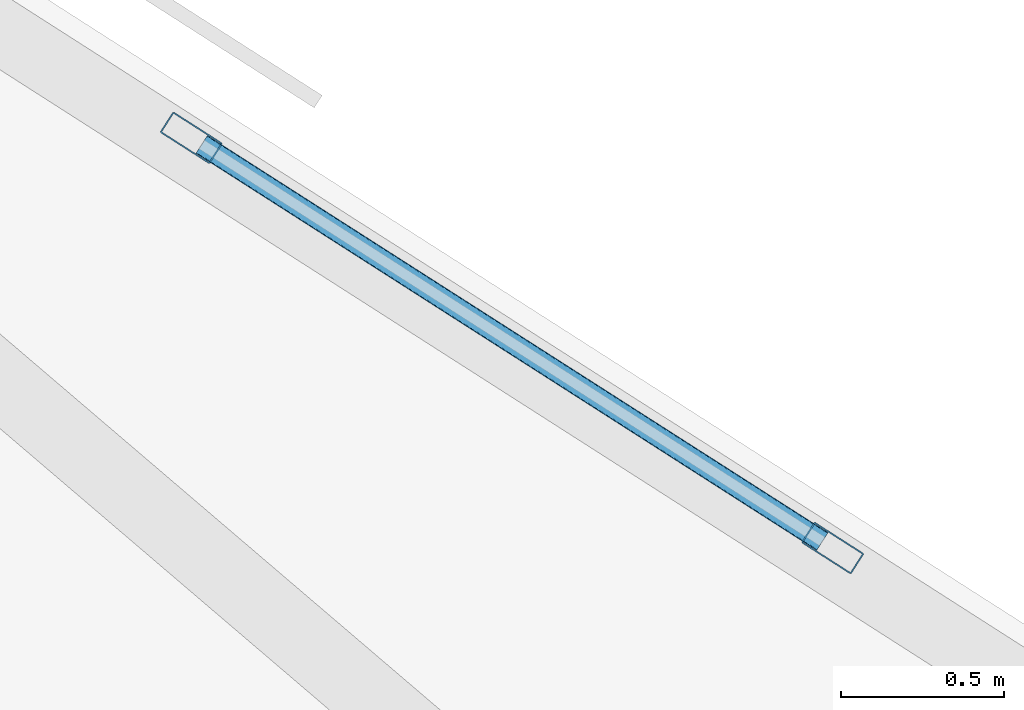
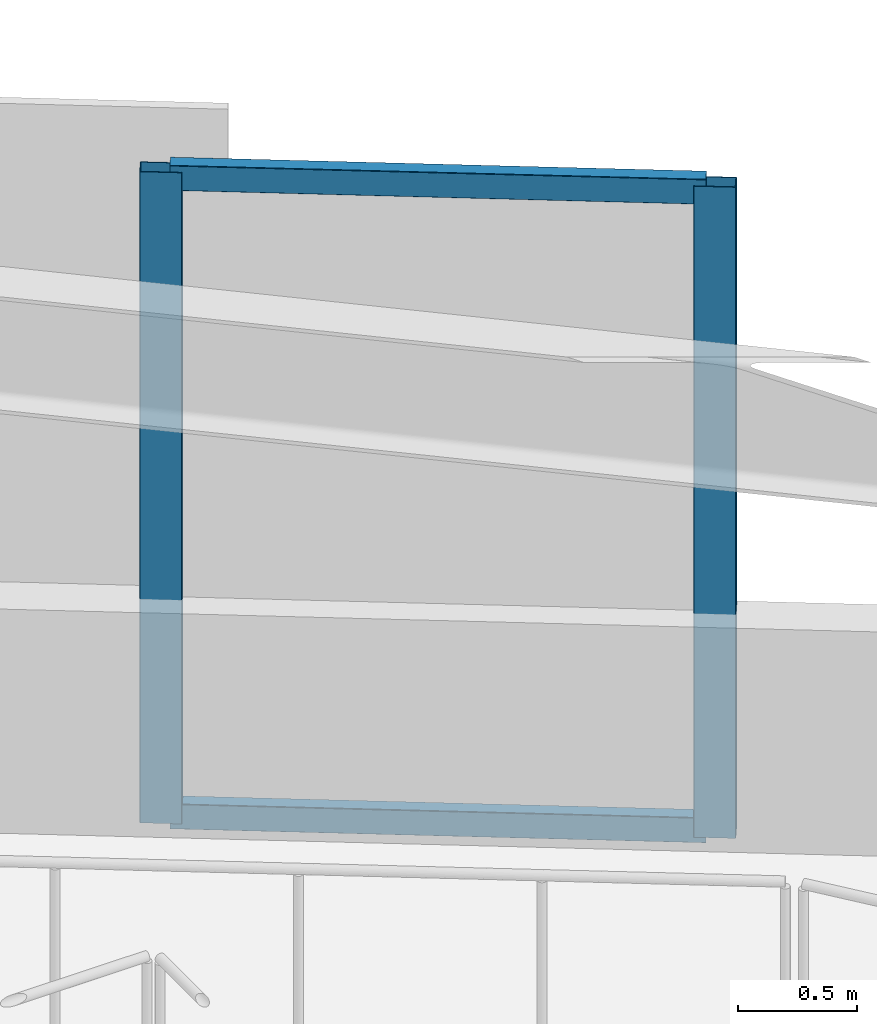
# One storey, part 2 of 16: 4 members, 1 element without a shape of its own.
"""IFC4 building model written with IfcOpenShell, lengths in metres."""

from ifc_helpers import new_model, si_unit, direction, frame, origin, origin_2d, place, context, subcontext, project, spatial, hollow_rectangle, extrude, material, material_profile, profile_set, type_object, element, aggregate, save


model = new_model("IFC4")

# Units and contexts
model_context = context("Model", 3, precision=1e-05, world=origin(), true_north=direction((0.0, 1.0)))
body_context = subcontext(model_context, "Body", "Model", "MODEL_VIEW")
ifc_project = project(units=[si_unit("LENGTHUNIT", "METRE"), si_unit("AREAUNIT", "SQUARE_METRE"), si_unit("VOLUMEUNIT", "CUBIC_METRE"), si_unit("PLANEANGLEUNIT", "RADIAN"), si_unit("MASSUNIT", "GRAM", prefix="KILO")], contexts=[model_context])

# Site, building, storey
site_placement = place(None, origin())
site = spatial("IfcSite", under=ifc_project, at=site_placement, CompositionType="ELEMENT")
building_placement = place(site_placement, origin())
building = spatial("IfcBuilding", under=site, at=building_placement, Name="Narakoshi Arena Tower", CompositionType="ELEMENT")
storey_placement = place(building_placement, frame((0.0, 0.0, 77.699951171875)))
storey = spatial("IfcBuildingStorey", under=building, at=storey_placement, Name="L20", CompositionType="ELEMENT", Elevation=77.699951171875)

# Curtain wall, members
ifc_material = material(Name="Anodised bronze aluminium 6063-T6", Category="aluminium")
curtain_wall_type = type_object("IfcCurtainWallType", Name="CW-HYP-LOW", PredefinedType="NOTDEFINED", material=ifc_material)
curtain_wall_placement = place(storey_placement, origin())
curtain_wall = element("IfcCurtainWall", 1, at=curtain_wall_placement, inside=storey, type_object=curtain_wall_type, Name="L20 Folded Hypotenuse Curtain Wall 2-1", PredefinedType="NOTDEFINED")
ifc_material_profile_1 = material_profile(ifc_material, hollow_rectangle(XDim=0.074951171875, YDim=0.179931640625, WallThickness=0.00390625, OuterFilletRadius=0.0048828125, at=origin_2d()), Name="MUL180x75x4")
ifc_profile_set_1 = profile_set([ifc_material_profile_1], Name="Anodised bronze aluminium 6063-T6")
member_type_1 = type_object("IfcMemberType", Name="MEM-MUL-180", PredefinedType="MULLION", material=ifc_profile_set_1)
member_1_placement = place(storey_placement, frame((91.90234375, 60.801025390625, 0.0), z_axis=(0.0, 0.0, 1.0), x_axis=(-0.538822365864, -0.842419407448, 0.0)))
member_1 = element("IfcMember", 2, at=member_1_placement, type_object=member_type_1, Name="CW-01 mullion 1", PredefinedType="MULLION", context=body_context, shape_type="SweptSolid", body=[
    extrude(hollow_rectangle(XDim=0.074951171875, YDim=0.179931640625, WallThickness=0.00390625, OuterFilletRadius=0.0048828125, at=origin_2d()), origin(), (0.0, 0.0, 1.0), 3.340087890625),
])
member_2_placement = place(storey_placement, frame((89.93994140625, 62.056396484375, 0.0), z_axis=(0.0, 0.0, 1.0), x_axis=(-0.538822365864, -0.842419407448, 0.0)))
member_2 = element("IfcMember", 3, at=member_2_placement, type_object=member_type_1, Name="CW-01 mullion 2", PredefinedType="MULLION", context=body_context, shape_type="SweptSolid", body=[
    extrude(hollow_rectangle(XDim=0.074951171875, YDim=0.179931640625, WallThickness=0.00390625, OuterFilletRadius=0.0048828125, at=origin_2d()), origin(), (0.0, 0.0, 1.0), 3.340087890625),
])
ifc_material_profile_2 = material_profile(ifc_material, hollow_rectangle(XDim=0.06494140625, YDim=0.1298828125, WallThickness=0.00390625, OuterFilletRadius=0.0048828125, at=origin_2d()), Name="TRN130x65x4")
ifc_profile_set_2 = profile_set([ifc_material_profile_2], Name="Anodised bronze aluminium 6063-T6")
member_type_2 = type_object("IfcMemberType", Name="MEM-TRN-130", PredefinedType="USERDEFINED", material=ifc_profile_set_2)
member_3_placement = place(storey_placement, frame((91.870849609375, 60.8212890625, 0.032470703125), z_axis=(-0.842397246246, 0.538857012125, 0.0), x_axis=(-0.538857012125, -0.842397246246, 0.0)))
member_3 = element("IfcMember", 4, at=member_3_placement, type_object=member_type_2, Name="CW-01 transom 1.1", ObjectType="TRANSOM", PredefinedType="USERDEFINED", context=body_context, shape_type="SweptSolid", body=[
    extrude(hollow_rectangle(XDim=0.06494140625, YDim=0.1298828125, WallThickness=0.00390625, OuterFilletRadius=0.0048828125, at=origin_2d()), origin(), (0.0, 0.0, 1.0), 2.25439453125),
])
member_4_placement = place(storey_placement, frame((91.870849609375, 60.8212890625, 3.3076171875), z_axis=(-0.842397246246, 0.538857012125, 0.0), x_axis=(-0.538857012125, -0.842397246246, 0.0)))
member_4 = element("IfcMember", 5, at=member_4_placement, type_object=member_type_2, Name="CW-01 transom 1.2", ObjectType="TRANSOM", PredefinedType="USERDEFINED", context=body_context, shape_type="SweptSolid", body=[
    extrude(hollow_rectangle(XDim=0.06494140625, YDim=0.1298828125, WallThickness=0.00390625, OuterFilletRadius=0.0048828125, at=origin_2d()), origin(), (0.0, 0.0, 1.0), 2.25439453125),
])
aggregate(curtain_wall, [member_1, member_2, member_3, member_4])

save(model, "model.ifc")
